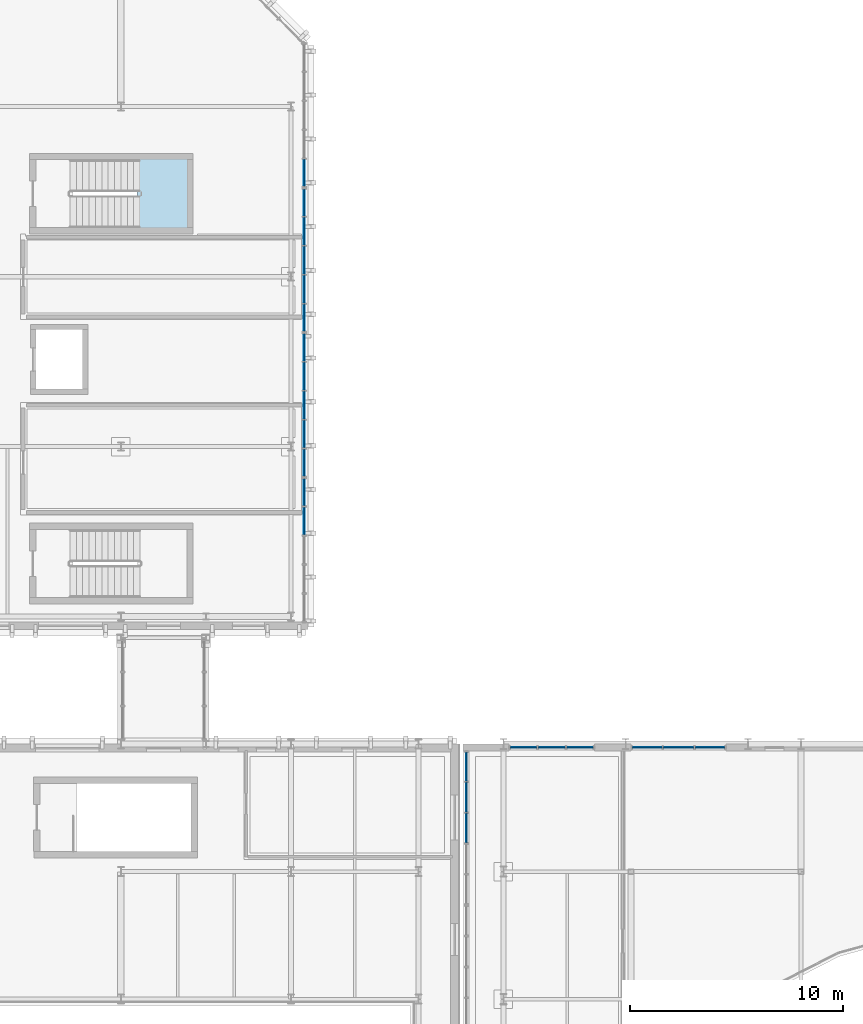
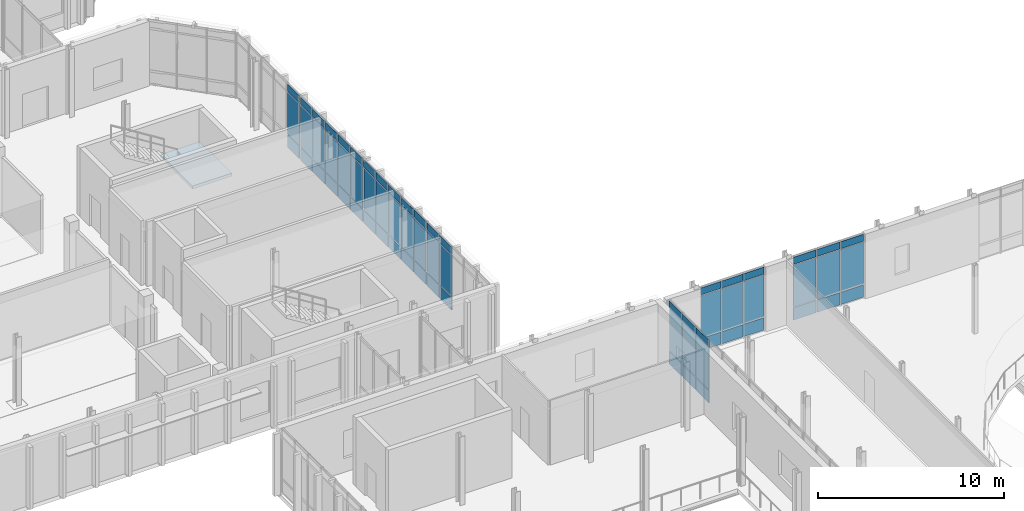
# One storey, part 52 of 100: 66 plates, 1 slab, 8 elements without a shape of their own.
"""IFC4 building model written with IfcOpenShell, lengths in metres."""

from ifc_helpers import new_model, si_unit, direction, frame, origin, origin_2d, place, context, subcontext, project, spatial, polyline, rectangle, outline, extrude, material, layer, layer_set, type_object, element, aggregate, save


model = new_model("IFC4")

# Units and contexts
model_context = context("Model", 3, precision=1e-05, world=origin(), true_north=direction((0.0, 1.0)))
body_context = subcontext(model_context, "Body", "Model", "MODEL_VIEW")
ifc_project = project(units=[si_unit("LENGTHUNIT", "METRE"), si_unit("AREAUNIT", "SQUARE_METRE"), si_unit("VOLUMEUNIT", "CUBIC_METRE"), si_unit("PLANEANGLEUNIT", "RADIAN"), si_unit("MASSUNIT", "GRAM", prefix="KILO")], contexts=[model_context])

# Site, building, storey
site_placement = place(None, origin())
site = spatial("IfcSite", under=ifc_project, at=site_placement, CompositionType="ELEMENT")
building_placement = place(site_placement, origin())
building = spatial("IfcBuilding", under=site, at=building_placement, Name="Cymarion Research Institute", CompositionType="ELEMENT")
storey_placement = place(building_placement, frame((0.0, 0.0, 9.300048828125)))
storey = spatial("IfcBuildingStorey", under=building, at=storey_placement, Name="L02", CompositionType="ELEMENT", Elevation=9.300048828125)

# Curtain wall, plates
ifc_material_1 = material(Name="Anodised aluminium unitised curtain wall with Low-E glazing", Category="aluminium")
curtain_wall_type_1 = type_object("IfcCurtainWallType", Name="UNITISED CURTAIN WALL CW12 4460X4250", PredefinedType="NOTDEFINED", material=ifc_material_1)
curtain_wall_1_placement = place(storey_placement, origin())
curtain_wall_1 = element("IfcCurtainWall", 1, at=curtain_wall_1_placement, inside=storey, type_object=curtain_wall_type_1, Name="L02 V2 unitised curtain wall CW12 #86", PredefinedType="NOTDEFINED")
ifc_material_2 = material(Name="Insulated anodised aluminium spandrel panel", Category="aluminium")
ifc_layer_1 = layer(ifc_material_2, 0.06005859375)
ifc_layer_set_1 = layer_set([ifc_layer_1], Name="Insulated anodised aluminium spandrel panel")
plate_type_1 = type_object("IfcPlateType", Name="INSULATED ALUMINIUM SPANDREL PANEL SP01 60MM", PredefinedType="SHEET", material=ifc_layer_set_1)
plate_1_placement = place(storey_placement, frame((66.3154296875, 41.340087890625, 0.059814453125), z_axis=(0.0, 0.0, 1.0), x_axis=(-1.0, 0.0, 0.0)))
plate_1 = element("IfcPlate", 2, at=plate_1_placement, type_object=plate_type_1, Name="CW12 panel 1.1", PredefinedType="SHEET", context=body_context, shape_type="SweptSolid", body=[
    extrude(rectangle(XDim=1.398193359375, YDim=0.06005859375, at=origin_2d()), origin(), (0.0, 0.0, 1.0), 0.81005859375),
])
plate_2_placement = place(storey_placement, frame((66.3154296875, 41.340087890625, 3.72998046875), z_axis=(0.0, 0.0, 1.0), x_axis=(-1.0, 0.0, 0.0)))
plate_2 = element("IfcPlate", 3, at=plate_2_placement, type_object=plate_type_1, Name="CW12 panel 1.3", PredefinedType="SHEET", context=body_context, shape_type="SweptSolid", body=[
    extrude(rectangle(XDim=1.398193359375, YDim=0.06005859375, at=origin_2d()), origin(), (0.0, 0.0, 1.0), 0.4599609375),
])
plate_3_placement = place(storey_placement, frame((64.84228515625, 41.340087890625, 0.059814453125), z_axis=(0.0, 0.0, 1.0), x_axis=(-1.0, 0.0, 0.0)))
plate_3 = element("IfcPlate", 4, at=plate_3_placement, type_object=plate_type_1, Name="CW12 panel 2.1", PredefinedType="SHEET", context=body_context, shape_type="SweptSolid", body=[
    extrude(rectangle(XDim=1.42822265625, YDim=0.06005859375, at=origin_2d()), origin(), (0.0, 0.0, 1.0), 0.81005859375),
])
plate_4_placement = place(storey_placement, frame((64.84228515625, 41.340087890625, 3.72998046875), z_axis=(0.0, 0.0, 1.0), x_axis=(-1.0, 0.0, 0.0)))
plate_4 = element("IfcPlate", 5, at=plate_4_placement, type_object=plate_type_1, Name="CW12 panel 2.3", PredefinedType="SHEET", context=body_context, shape_type="SweptSolid", body=[
    extrude(rectangle(XDim=1.42822265625, YDim=0.06005859375, at=origin_2d()), origin(), (0.0, 0.0, 1.0), 0.4599609375),
])
plate_5_placement = place(storey_placement, frame((63.369140625, 41.340087890625, 0.059814453125), z_axis=(0.0, 0.0, 1.0), x_axis=(-1.0, 0.0, 0.0)))
plate_5 = element("IfcPlate", 6, at=plate_5_placement, type_object=plate_type_1, Name="CW12 panel 3.1", PredefinedType="SHEET", context=body_context, shape_type="SweptSolid", body=[
    extrude(rectangle(XDim=1.398193359375, YDim=0.06005859375, at=origin_2d()), origin(), (0.0, 0.0, 1.0), 0.81005859375),
])
plate_6_placement = place(storey_placement, frame((63.369140625, 41.340087890625, 3.72998046875), z_axis=(0.0, 0.0, 1.0), x_axis=(-1.0, 0.0, 0.0)))
plate_6 = element("IfcPlate", 7, at=plate_6_placement, type_object=plate_type_1, Name="CW12 panel 3.3", PredefinedType="SHEET", context=body_context, shape_type="SweptSolid", body=[
    extrude(rectangle(XDim=1.398193359375, YDim=0.06005859375, at=origin_2d()), origin(), (0.0, 0.0, 1.0), 0.4599609375),
])

curtain_wall_type_2 = type_object("IfcCurtainWallType", Name="UNITISED CURTAIN WALL CW13 4030X4250", PredefinedType="NOTDEFINED", material=ifc_material_1)
curtain_wall_2_placement = place(storey_placement, origin())
curtain_wall_2 = element("IfcCurtainWall", 8, at=curtain_wall_2_placement, inside=storey, type_object=curtain_wall_type_2, Name="L02 V2 unitised curtain wall CW13 #87", PredefinedType="NOTDEFINED")
plate_7_placement = place(storey_placement, frame((60.201171875, 41.340087890625, 0.059814453125), z_axis=(0.0, 0.0, 1.0), x_axis=(-1.0, 0.0, 0.0)))
plate_7 = element("IfcPlate", 9, at=plate_7_placement, type_object=plate_type_1, Name="CW13 panel 1.1", PredefinedType="SHEET", context=body_context, shape_type="SweptSolid", body=[
    extrude(rectangle(XDim=1.25244140625, YDim=0.06005859375, at=origin_2d()), origin(), (0.0, 0.0, 1.0), 0.81005859375),
])
plate_8_placement = place(storey_placement, frame((60.201171875, 41.340087890625, 3.72998046875), z_axis=(0.0, 0.0, 1.0), x_axis=(-1.0, 0.0, 0.0)))
plate_8 = element("IfcPlate", 10, at=plate_8_placement, type_object=plate_type_1, Name="CW13 panel 1.3", PredefinedType="SHEET", context=body_context, shape_type="SweptSolid", body=[
    extrude(rectangle(XDim=1.25244140625, YDim=0.06005859375, at=origin_2d()), origin(), (0.0, 0.0, 1.0), 0.4599609375),
])
plate_9_placement = place(storey_placement, frame((58.87353515625, 41.340087890625, 0.059814453125), z_axis=(0.0, 0.0, 1.0), x_axis=(-1.0, 0.0, 0.0)))
plate_9 = element("IfcPlate", 11, at=plate_9_placement, type_object=plate_type_1, Name="CW13 panel 2.1", PredefinedType="SHEET", context=body_context, shape_type="SweptSolid", body=[
    extrude(rectangle(XDim=1.282470703125, YDim=0.06005859375, at=origin_2d()), origin(), (0.0, 0.0, 1.0), 0.81005859375),
])
plate_10_placement = place(storey_placement, frame((58.87353515625, 41.340087890625, 3.72998046875), z_axis=(0.0, 0.0, 1.0), x_axis=(-1.0, 0.0, 0.0)))
plate_10 = element("IfcPlate", 12, at=plate_10_placement, type_object=plate_type_1, Name="CW13 panel 2.3", PredefinedType="SHEET", context=body_context, shape_type="SweptSolid", body=[
    extrude(rectangle(XDim=1.282470703125, YDim=0.06005859375, at=origin_2d()), origin(), (0.0, 0.0, 1.0), 0.4599609375),
])
plate_11_placement = place(storey_placement, frame((57.546142578125, 41.340087890625, 0.059814453125), z_axis=(0.0, 0.0, 1.0), x_axis=(-1.0, 0.0, 0.0)))
plate_11 = element("IfcPlate", 13, at=plate_11_placement, type_object=plate_type_1, Name="CW13 panel 3.1", PredefinedType="SHEET", context=body_context, shape_type="SweptSolid", body=[
    extrude(rectangle(XDim=1.25244140625, YDim=0.06005859375, at=origin_2d()), origin(), (0.0, 0.0, 1.0), 0.81005859375),
])
plate_12_placement = place(storey_placement, frame((57.546142578125, 41.340087890625, 3.72998046875), z_axis=(0.0, 0.0, 1.0), x_axis=(-1.0, 0.0, 0.0)))
plate_12 = element("IfcPlate", 14, at=plate_12_placement, type_object=plate_type_1, Name="CW13 panel 3.3", PredefinedType="SHEET", context=body_context, shape_type="SweptSolid", body=[
    extrude(rectangle(XDim=1.25244140625, YDim=0.06005859375, at=origin_2d()), origin(), (0.0, 0.0, 1.0), 0.4599609375),
])

curtain_wall_type_3 = type_object("IfcCurtainWallType", Name="UNITISED CURTAIN WALL CW14 7260X4250", PredefinedType="NOTDEFINED", material=ifc_material_1)
curtain_wall_3_placement = place(storey_placement, origin())
curtain_wall_3 = element("IfcCurtainWall", 15, at=curtain_wall_3_placement, inside=storey, type_object=curtain_wall_type_3, Name="L02 V2 unitised curtain wall CW14 #88", PredefinedType="NOTDEFINED")
plate_13_placement = place(storey_placement, frame((54.860107421875, 40.439453125, 0.059814453125), z_axis=(0.0, 0.0, 1.0), x_axis=(0.0, -1.0, 0.0)))
plate_13 = element("IfcPlate", 16, at=plate_13_placement, type_object=plate_type_1, Name="CW14 panel 1.1", PredefinedType="SHEET", context=body_context, shape_type="SweptSolid", body=[
    extrude(rectangle(XDim=1.361083984375, YDim=0.06005859375, at=origin_2d()), origin(), (0.0, 0.0, 1.0), 0.81005859375),
])
plate_14_placement = place(storey_placement, frame((54.860107421875, 40.439453125, 3.72998046875), z_axis=(0.0, 0.0, 1.0), x_axis=(0.0, -1.0, 0.0)))
plate_14 = element("IfcPlate", 17, at=plate_14_placement, type_object=plate_type_1, Name="CW14 panel 1.3", PredefinedType="SHEET", context=body_context, shape_type="SweptSolid", body=[
    extrude(rectangle(XDim=1.361083984375, YDim=0.06005859375, at=origin_2d()), origin(), (0.0, 0.0, 1.0), 0.4599609375),
])
plate_15_placement = place(storey_placement, frame((54.860107421875, 39.003173828125, 0.059814453125), z_axis=(0.0, 0.0, 1.0), x_axis=(0.0, -1.0, 0.0)))
plate_15 = element("IfcPlate", 18, at=plate_15_placement, type_object=plate_type_1, Name="CW14 panel 2.1", PredefinedType="SHEET", context=body_context, shape_type="SweptSolid", body=[
    extrude(rectangle(XDim=1.39111328125, YDim=0.06005859375, at=origin_2d()), origin(), (0.0, 0.0, 1.0), 0.81005859375),
])
plate_16_placement = place(storey_placement, frame((54.860107421875, 39.003173828125, 3.72998046875), z_axis=(0.0, 0.0, 1.0), x_axis=(0.0, -1.0, 0.0)))
plate_16 = element("IfcPlate", 19, at=plate_16_placement, type_object=plate_type_1, Name="CW14 panel 2.3", PredefinedType="SHEET", context=body_context, shape_type="SweptSolid", body=[
    extrude(rectangle(XDim=1.39111328125, YDim=0.06005859375, at=origin_2d()), origin(), (0.0, 0.0, 1.0), 0.4599609375),
])
plate_17_placement = place(storey_placement, frame((54.860107421875, 37.552001953125, 0.059814453125), z_axis=(0.0, 0.0, 1.0), x_axis=(0.0, -1.0, 0.0)))
plate_17 = element("IfcPlate", 20, at=plate_17_placement, type_object=plate_type_1, Name="CW14 panel 3.1", PredefinedType="SHEET", context=body_context, shape_type="SweptSolid", body=[
    extrude(rectangle(XDim=1.39111328125, YDim=0.06005859375, at=origin_2d()), origin(), (0.0, 0.0, 1.0), 0.81005859375),
])
plate_18_placement = place(storey_placement, frame((54.860107421875, 37.552001953125, 3.72998046875), z_axis=(0.0, 0.0, 1.0), x_axis=(0.0, -1.0, 0.0)))
plate_18 = element("IfcPlate", 21, at=plate_18_placement, type_object=plate_type_1, Name="CW14 panel 3.3", PredefinedType="SHEET", context=body_context, shape_type="SweptSolid", body=[
    extrude(rectangle(XDim=1.39111328125, YDim=0.06005859375, at=origin_2d()), origin(), (0.0, 0.0, 1.0), 0.4599609375),
])

curtain_wall_type_4 = type_object("IfcCurtainWallType", Name="UNITISED CURTAIN WALL CW20 6820X4250", PredefinedType="NOTDEFINED", material=ifc_material_1)
curtain_wall_4_placement = place(storey_placement, origin())
curtain_wall_4 = element("IfcCurtainWall", 22, at=curtain_wall_4_placement, inside=storey, type_object=curtain_wall_type_4, Name="L02 V4 unitised curtain wall CW20 #98", PredefinedType="NOTDEFINED")
plate_19_placement = place(storey_placement, frame((47.22998046875, 51.99560546875, 0.059814453125), z_axis=(0.0, 0.0, 1.0), x_axis=(0.0, 1.0, 0.0)))
plate_19 = element("IfcPlate", 23, at=plate_19_placement, type_object=plate_type_1, Name="CW20 panel 4.1", PredefinedType="SHEET", context=body_context, shape_type="SweptSolid", body=[
    extrude(rectangle(XDim=1.303955078125, YDim=0.06005859375, at=origin_2d()), origin(), (0.0, 0.0, 1.0), 0.81005859375),
])
plate_20_placement = place(storey_placement, frame((47.22998046875, 51.99560546875, 3.72998046875), z_axis=(0.0, 0.0, 1.0), x_axis=(0.0, 1.0, 0.0)))
plate_20 = element("IfcPlate", 24, at=plate_20_placement, type_object=plate_type_1, Name="CW20 panel 4.3", PredefinedType="SHEET", context=body_context, shape_type="SweptSolid", body=[
    extrude(rectangle(XDim=1.303955078125, YDim=0.06005859375, at=origin_2d()), origin(), (0.0, 0.0, 1.0), 0.4599609375),
])
plate_21_placement = place(storey_placement, frame((47.22998046875, 53.344482421875, 0.059814453125), z_axis=(0.0, 0.0, 1.0), x_axis=(0.0, 1.0, 0.0)))
plate_21 = element("IfcPlate", 25, at=plate_21_placement, type_object=plate_type_1, Name="CW20 panel 5.1", PredefinedType="SHEET", context=body_context, shape_type="SweptSolid", body=[
    extrude(rectangle(XDim=1.27392578125, YDim=0.06005859375, at=origin_2d()), origin(), (0.0, 0.0, 1.0), 0.81005859375),
])
plate_22_placement = place(storey_placement, frame((47.22998046875, 53.344482421875, 3.72998046875), z_axis=(0.0, 0.0, 1.0), x_axis=(0.0, 1.0, 0.0)))
plate_22 = element("IfcPlate", 26, at=plate_22_placement, type_object=plate_type_1, Name="CW20 panel 5.3", PredefinedType="SHEET", context=body_context, shape_type="SweptSolid", body=[
    extrude(rectangle(XDim=1.27392578125, YDim=0.06005859375, at=origin_2d()), origin(), (0.0, 0.0, 1.0), 0.4599609375),
])

curtain_wall_5_placement = place(storey_placement, origin())
curtain_wall_5 = element("IfcCurtainWall", 27, at=curtain_wall_5_placement, inside=storey, type_object=curtain_wall_type_4, Name="L02 V4 unitised curtain wall CW20 #99", PredefinedType="NOTDEFINED")
plate_23_placement = place(storey_placement, frame((47.22998046875, 54.738525390625, 0.059814453125), z_axis=(0.0, 0.0, 1.0), x_axis=(0.0, 1.0, 0.0)))
plate_23 = element("IfcPlate", 28, at=plate_23_placement, type_object=plate_type_1, Name="CW20 panel 1.1", PredefinedType="SHEET", context=body_context, shape_type="SweptSolid", body=[
    extrude(rectangle(XDim=1.27392578125, YDim=0.06005859375, at=origin_2d()), origin(), (0.0, 0.0, 1.0), 0.81005859375),
])
plate_24_placement = place(storey_placement, frame((47.22998046875, 54.738525390625, 3.72998046875), z_axis=(0.0, 0.0, 1.0), x_axis=(0.0, 1.0, 0.0)))
plate_24 = element("IfcPlate", 29, at=plate_24_placement, type_object=plate_type_1, Name="CW20 panel 1.3", PredefinedType="SHEET", context=body_context, shape_type="SweptSolid", body=[
    extrude(rectangle(XDim=1.27392578125, YDim=0.06005859375, at=origin_2d()), origin(), (0.0, 0.0, 1.0), 0.4599609375),
])
plate_25_placement = place(storey_placement, frame((47.22998046875, 56.08740234375, 0.059814453125), z_axis=(0.0, 0.0, 1.0), x_axis=(0.0, 1.0, 0.0)))
plate_25 = element("IfcPlate", 30, at=plate_25_placement, type_object=plate_type_1, Name="CW20 panel 2.1", PredefinedType="SHEET", context=body_context, shape_type="SweptSolid", body=[
    extrude(rectangle(XDim=1.303955078125, YDim=0.06005859375, at=origin_2d()), origin(), (0.0, 0.0, 1.0), 0.81005859375),
])
plate_26_placement = place(storey_placement, frame((47.22998046875, 56.08740234375, 3.72998046875), z_axis=(0.0, 0.0, 1.0), x_axis=(0.0, 1.0, 0.0)))
plate_26 = element("IfcPlate", 31, at=plate_26_placement, type_object=plate_type_1, Name="CW20 panel 2.3", PredefinedType="SHEET", context=body_context, shape_type="SweptSolid", body=[
    extrude(rectangle(XDim=1.303955078125, YDim=0.06005859375, at=origin_2d()), origin(), (0.0, 0.0, 1.0), 0.4599609375),
])
plate_27_placement = place(storey_placement, frame((47.22998046875, 57.451171875, 0.059814453125), z_axis=(0.0, 0.0, 1.0), x_axis=(0.0, 1.0, 0.0)))
plate_27 = element("IfcPlate", 32, at=plate_27_placement, type_object=plate_type_1, Name="CW20 panel 3.1", PredefinedType="SHEET", context=body_context, shape_type="SweptSolid", body=[
    extrude(rectangle(XDim=1.303955078125, YDim=0.06005859375, at=origin_2d()), origin(), (0.0, 0.0, 1.0), 0.81005859375),
])
plate_28_placement = place(storey_placement, frame((47.22998046875, 57.451171875, 3.72998046875), z_axis=(0.0, 0.0, 1.0), x_axis=(0.0, 1.0, 0.0)))
plate_28 = element("IfcPlate", 33, at=plate_28_placement, type_object=plate_type_1, Name="CW20 panel 3.3", PredefinedType="SHEET", context=body_context, shape_type="SweptSolid", body=[
    extrude(rectangle(XDim=1.303955078125, YDim=0.06005859375, at=origin_2d()), origin(), (0.0, 0.0, 1.0), 0.4599609375),
])
plate_29_placement = place(storey_placement, frame((47.22998046875, 58.815185546875, 0.059814453125), z_axis=(0.0, 0.0, 1.0), x_axis=(0.0, 1.0, 0.0)))
plate_29 = element("IfcPlate", 34, at=plate_29_placement, type_object=plate_type_1, Name="CW20 panel 4.1", PredefinedType="SHEET", context=body_context, shape_type="SweptSolid", body=[
    extrude(rectangle(XDim=1.303955078125, YDim=0.06005859375, at=origin_2d()), origin(), (0.0, 0.0, 1.0), 0.81005859375),
])
plate_30_placement = place(storey_placement, frame((47.22998046875, 58.815185546875, 3.72998046875), z_axis=(0.0, 0.0, 1.0), x_axis=(0.0, 1.0, 0.0)))
plate_30 = element("IfcPlate", 35, at=plate_30_placement, type_object=plate_type_1, Name="CW20 panel 4.3", PredefinedType="SHEET", context=body_context, shape_type="SweptSolid", body=[
    extrude(rectangle(XDim=1.303955078125, YDim=0.06005859375, at=origin_2d()), origin(), (0.0, 0.0, 1.0), 0.4599609375),
])
plate_31_placement = place(storey_placement, frame((47.22998046875, 60.1640625, 0.059814453125), z_axis=(0.0, 0.0, 1.0), x_axis=(0.0, 1.0, 0.0)))
plate_31 = element("IfcPlate", 36, at=plate_31_placement, type_object=plate_type_1, Name="CW20 panel 5.1", PredefinedType="SHEET", context=body_context, shape_type="SweptSolid", body=[
    extrude(rectangle(XDim=1.27392578125, YDim=0.06005859375, at=origin_2d()), origin(), (0.0, 0.0, 1.0), 0.81005859375),
])
plate_32_placement = place(storey_placement, frame((47.22998046875, 60.1640625, 3.72998046875), z_axis=(0.0, 0.0, 1.0), x_axis=(0.0, 1.0, 0.0)))
plate_32 = element("IfcPlate", 37, at=plate_32_placement, type_object=plate_type_1, Name="CW20 panel 5.3", PredefinedType="SHEET", context=body_context, shape_type="SweptSolid", body=[
    extrude(rectangle(XDim=1.27392578125, YDim=0.06005859375, at=origin_2d()), origin(), (0.0, 0.0, 1.0), 0.4599609375),
])

curtain_wall_6_placement = place(storey_placement, origin())
curtain_wall_6 = element("IfcCurtainWall", 38, at=curtain_wall_6_placement, inside=storey, type_object=curtain_wall_type_4, Name="L02 V4 unitised curtain wall CW20 #100", PredefinedType="NOTDEFINED")
plate_33_placement = place(storey_placement, frame((47.22998046875, 61.557861328125, 0.059814453125), z_axis=(0.0, 0.0, 1.0), x_axis=(0.0, 1.0, 0.0)))
plate_33 = element("IfcPlate", 39, at=plate_33_placement, type_object=plate_type_1, Name="CW20 panel 1.1", PredefinedType="SHEET", context=body_context, shape_type="SweptSolid", body=[
    extrude(rectangle(XDim=1.27392578125, YDim=0.06005859375, at=origin_2d()), origin(), (0.0, 0.0, 1.0), 0.81005859375),
])
plate_34_placement = place(storey_placement, frame((47.22998046875, 61.557861328125, 3.72998046875), z_axis=(0.0, 0.0, 1.0), x_axis=(0.0, 1.0, 0.0)))
plate_34 = element("IfcPlate", 40, at=plate_34_placement, type_object=plate_type_1, Name="CW20 panel 1.3", PredefinedType="SHEET", context=body_context, shape_type="SweptSolid", body=[
    extrude(rectangle(XDim=1.27392578125, YDim=0.06005859375, at=origin_2d()), origin(), (0.0, 0.0, 1.0), 0.4599609375),
])
plate_35_placement = place(storey_placement, frame((47.22998046875, 62.90673828125, 0.059814453125), z_axis=(0.0, 0.0, 1.0), x_axis=(0.0, 1.0, 0.0)))
plate_35 = element("IfcPlate", 41, at=plate_35_placement, type_object=plate_type_1, Name="CW20 panel 2.1", PredefinedType="SHEET", context=body_context, shape_type="SweptSolid", body=[
    extrude(rectangle(XDim=1.303955078125, YDim=0.06005859375, at=origin_2d()), origin(), (0.0, 0.0, 1.0), 0.81005859375),
])
plate_36_placement = place(storey_placement, frame((47.22998046875, 62.90673828125, 3.72998046875), z_axis=(0.0, 0.0, 1.0), x_axis=(0.0, 1.0, 0.0)))
plate_36 = element("IfcPlate", 42, at=plate_36_placement, type_object=plate_type_1, Name="CW20 panel 2.3", PredefinedType="SHEET", context=body_context, shape_type="SweptSolid", body=[
    extrude(rectangle(XDim=1.303955078125, YDim=0.06005859375, at=origin_2d()), origin(), (0.0, 0.0, 1.0), 0.4599609375),
])
plate_37_placement = place(storey_placement, frame((47.22998046875, 64.270751953125, 0.059814453125), z_axis=(0.0, 0.0, 1.0), x_axis=(0.0, 1.0, 0.0)))
plate_37 = element("IfcPlate", 43, at=plate_37_placement, type_object=plate_type_1, Name="CW20 panel 3.1", PredefinedType="SHEET", context=body_context, shape_type="SweptSolid", body=[
    extrude(rectangle(XDim=1.303955078125, YDim=0.06005859375, at=origin_2d()), origin(), (0.0, 0.0, 1.0), 0.81005859375),
])
plate_38_placement = place(storey_placement, frame((47.22998046875, 64.270751953125, 3.72998046875), z_axis=(0.0, 0.0, 1.0), x_axis=(0.0, 1.0, 0.0)))
plate_38 = element("IfcPlate", 44, at=plate_38_placement, type_object=plate_type_1, Name="CW20 panel 3.3", PredefinedType="SHEET", context=body_context, shape_type="SweptSolid", body=[
    extrude(rectangle(XDim=1.303955078125, YDim=0.06005859375, at=origin_2d()), origin(), (0.0, 0.0, 1.0), 0.4599609375),
])
plate_39_placement = place(storey_placement, frame((47.22998046875, 65.634765625, 0.059814453125), z_axis=(0.0, 0.0, 1.0), x_axis=(0.0, 1.0, 0.0)))
plate_39 = element("IfcPlate", 45, at=plate_39_placement, type_object=plate_type_1, Name="CW20 panel 4.1", PredefinedType="SHEET", context=body_context, shape_type="SweptSolid", body=[
    extrude(rectangle(XDim=1.303955078125, YDim=0.06005859375, at=origin_2d()), origin(), (0.0, 0.0, 1.0), 0.81005859375),
])
plate_40_placement = place(storey_placement, frame((47.22998046875, 65.634765625, 3.72998046875), z_axis=(0.0, 0.0, 1.0), x_axis=(0.0, 1.0, 0.0)))
plate_40 = element("IfcPlate", 46, at=plate_40_placement, type_object=plate_type_1, Name="CW20 panel 4.3", PredefinedType="SHEET", context=body_context, shape_type="SweptSolid", body=[
    extrude(rectangle(XDim=1.303955078125, YDim=0.06005859375, at=origin_2d()), origin(), (0.0, 0.0, 1.0), 0.4599609375),
])
plate_41_placement = place(storey_placement, frame((47.22998046875, 66.983642578125, 0.059814453125), z_axis=(0.0, 0.0, 1.0), x_axis=(0.0, 1.0, 0.0)))
plate_41 = element("IfcPlate", 47, at=plate_41_placement, type_object=plate_type_1, Name="CW20 panel 5.1", PredefinedType="SHEET", context=body_context, shape_type="SweptSolid", body=[
    extrude(rectangle(XDim=1.27392578125, YDim=0.06005859375, at=origin_2d()), origin(), (0.0, 0.0, 1.0), 0.81005859375),
])
plate_42_placement = place(storey_placement, frame((47.22998046875, 66.983642578125, 3.72998046875), z_axis=(0.0, 0.0, 1.0), x_axis=(0.0, 1.0, 0.0)))
plate_42 = element("IfcPlate", 48, at=plate_42_placement, type_object=plate_type_1, Name="CW20 panel 5.3", PredefinedType="SHEET", context=body_context, shape_type="SweptSolid", body=[
    extrude(rectangle(XDim=1.27392578125, YDim=0.06005859375, at=origin_2d()), origin(), (0.0, 0.0, 1.0), 0.4599609375),
])

curtain_wall_7_placement = place(storey_placement, origin())
curtain_wall_7 = element("IfcCurtainWall", 49, at=curtain_wall_7_placement, inside=storey, type_object=curtain_wall_type_4, Name="L02 V4 unitised curtain wall CW20 #101", PredefinedType="NOTDEFINED")
plate_43_placement = place(storey_placement, frame((47.22998046875, 68.37744140625, 0.059814453125), z_axis=(0.0, 0.0, 1.0), x_axis=(0.0, 1.0, 0.0)))
plate_43 = element("IfcPlate", 50, at=plate_43_placement, type_object=plate_type_1, Name="CW20 panel 1.1", PredefinedType="SHEET", context=body_context, shape_type="SweptSolid", body=[
    extrude(rectangle(XDim=1.27392578125, YDim=0.06005859375, at=origin_2d()), origin(), (0.0, 0.0, 1.0), 0.81005859375),
])
plate_44_placement = place(storey_placement, frame((47.22998046875, 68.37744140625, 3.72998046875), z_axis=(0.0, 0.0, 1.0), x_axis=(0.0, 1.0, 0.0)))
plate_44 = element("IfcPlate", 51, at=plate_44_placement, type_object=plate_type_1, Name="CW20 panel 1.3", PredefinedType="SHEET", context=body_context, shape_type="SweptSolid", body=[
    extrude(rectangle(XDim=1.27392578125, YDim=0.06005859375, at=origin_2d()), origin(), (0.0, 0.0, 1.0), 0.4599609375),
])

# Stair, slab
ifc_material_3 = material(Name="Concrete C35/45", Category="concrete")
stair_type = type_object("IfcStairType", Name="REINFORCED CONCRETE DOGLEG STAIR STR-4500", PredefinedType="HALF_TURN_STAIR", material=ifc_material_3)
stair_placement = place(storey_placement, origin())
stair = element("IfcStair", 52, at=stair_placement, inside=storey, type_object=stair_type, Name="L02 Core C8 Smoke-Proof Exit Stair ST8", PredefinedType="HALF_TURN_STAIR")
ifc_layer_2 = layer(ifc_material_3, 0.199951171875)
ifc_layer_set_2 = layer_set([ifc_layer_2], Name="Concrete C35/45")
slab_type = type_object("IfcSlabType", Name="REINFORCED CONCRETE STAIR LANDING LDG200", PredefinedType="LANDING", material=ifc_layer_set_2)
slab_placement = place(storey_placement, frame((0.0, 0.0, 2.050048828125)))
slab = element("IfcSlab", 53, at=slab_placement, type_object=slab_type, Name="ST8 landing 1", PredefinedType="LANDING", context=body_context, shape_type="SweptSolid", body=[
    extrude(outline(polyline([(39.3798828125, 65.679931640625), (39.3798828125, 69.1201171875), (41.820068359375, 69.1201171875), (41.820068359375, 65.679931640625), (39.3798828125, 65.679931640625)])), origin(), (0.0, 0.0, 1.0), 0.199951171875),
])
aggregate(stair, [slab])

# Plate
ifc_material_4 = material(Name="Low-E double solar-control glazing", Category="glass")
ifc_layer_3 = layer(ifc_material_4, 0.035888671875)
ifc_layer_set_3 = layer_set([ifc_layer_3], Name="Low-E double solar-control glazing")
plate_type_2 = type_object("IfcPlateType", Name="SOLAR CONTROL GLAZED VISION PANEL GP01 36MM", PredefinedType="CURTAIN_PANEL", material=ifc_layer_set_3)
plate_45_placement = place(storey_placement, frame((66.3154296875, 41.340087890625, 0.93017578125), z_axis=(0.0, 0.0, 1.0), x_axis=(-1.0, 0.0, 0.0)))
plate_45 = element("IfcPlate", 54, at=plate_45_placement, type_object=plate_type_2, Name="CW12 panel 1.2", PredefinedType="CURTAIN_PANEL", context=body_context, shape_type="SweptSolid", body=[
    extrude(rectangle(XDim=1.398193359375, YDim=0.035888671875, at=origin_2d()), origin(), (0.0, 0.0, 1.0), 2.739990234375),
])

plate_46_placement = place(storey_placement, frame((64.84228515625, 41.340087890625, 0.93017578125), z_axis=(0.0, 0.0, 1.0), x_axis=(-1.0, 0.0, 0.0)))
plate_46 = element("IfcPlate", 55, at=plate_46_placement, type_object=plate_type_2, Name="CW12 panel 2.2", PredefinedType="CURTAIN_PANEL", context=body_context, shape_type="SweptSolid", body=[
    extrude(rectangle(XDim=1.42822265625, YDim=0.035888671875, at=origin_2d()), origin(), (0.0, 0.0, 1.0), 2.739990234375),
])

plate_47_placement = place(storey_placement, frame((63.369140625, 41.340087890625, 0.93017578125), z_axis=(0.0, 0.0, 1.0), x_axis=(-1.0, 0.0, 0.0)))
plate_47 = element("IfcPlate", 56, at=plate_47_placement, type_object=plate_type_2, Name="CW12 panel 3.2", PredefinedType="CURTAIN_PANEL", context=body_context, shape_type="SweptSolid", body=[
    extrude(rectangle(XDim=1.398193359375, YDim=0.035888671875, at=origin_2d()), origin(), (0.0, 0.0, 1.0), 2.739990234375),
])

aggregate(curtain_wall_1, [plate_1, plate_45, plate_2, plate_3, plate_46, plate_4, plate_5, plate_47, plate_6])

plate_48_placement = place(storey_placement, frame((60.201171875, 41.340087890625, 0.93017578125), z_axis=(0.0, 0.0, 1.0), x_axis=(-1.0, 0.0, 0.0)))
plate_48 = element("IfcPlate", 57, at=plate_48_placement, type_object=plate_type_2, Name="CW13 panel 1.2", PredefinedType="CURTAIN_PANEL", context=body_context, shape_type="SweptSolid", body=[
    extrude(rectangle(XDim=1.25244140625, YDim=0.035888671875, at=origin_2d()), origin(), (0.0, 0.0, 1.0), 2.739990234375),
])

plate_49_placement = place(storey_placement, frame((58.87353515625, 41.340087890625, 0.93017578125), z_axis=(0.0, 0.0, 1.0), x_axis=(-1.0, 0.0, 0.0)))
plate_49 = element("IfcPlate", 58, at=plate_49_placement, type_object=plate_type_2, Name="CW13 panel 2.2", PredefinedType="CURTAIN_PANEL", context=body_context, shape_type="SweptSolid", body=[
    extrude(rectangle(XDim=1.282470703125, YDim=0.035888671875, at=origin_2d()), origin(), (0.0, 0.0, 1.0), 2.739990234375),
])

plate_50_placement = place(storey_placement, frame((57.546142578125, 41.340087890625, 0.93017578125), z_axis=(0.0, 0.0, 1.0), x_axis=(-1.0, 0.0, 0.0)))
plate_50 = element("IfcPlate", 59, at=plate_50_placement, type_object=plate_type_2, Name="CW13 panel 3.2", PredefinedType="CURTAIN_PANEL", context=body_context, shape_type="SweptSolid", body=[
    extrude(rectangle(XDim=1.25244140625, YDim=0.035888671875, at=origin_2d()), origin(), (0.0, 0.0, 1.0), 2.739990234375),
])

aggregate(curtain_wall_2, [plate_7, plate_48, plate_8, plate_9, plate_49, plate_10, plate_11, plate_50, plate_12])

plate_51_placement = place(storey_placement, frame((54.860107421875, 40.439453125, 0.93017578125), z_axis=(0.0, 0.0, 1.0), x_axis=(0.0, -1.0, 0.0)))
plate_51 = element("IfcPlate", 60, at=plate_51_placement, type_object=plate_type_2, Name="CW14 panel 1.2", PredefinedType="CURTAIN_PANEL", context=body_context, shape_type="SweptSolid", body=[
    extrude(rectangle(XDim=1.361083984375, YDim=0.035888671875, at=origin_2d()), origin(), (0.0, 0.0, 1.0), 2.739990234375),
])

plate_52_placement = place(storey_placement, frame((54.860107421875, 39.003173828125, 0.93017578125), z_axis=(0.0, 0.0, 1.0), x_axis=(0.0, -1.0, 0.0)))
plate_52 = element("IfcPlate", 61, at=plate_52_placement, type_object=plate_type_2, Name="CW14 panel 2.2", PredefinedType="CURTAIN_PANEL", context=body_context, shape_type="SweptSolid", body=[
    extrude(rectangle(XDim=1.39111328125, YDim=0.035888671875, at=origin_2d()), origin(), (0.0, 0.0, 1.0), 2.739990234375),
])

plate_53_placement = place(storey_placement, frame((54.860107421875, 37.552001953125, 0.93017578125), z_axis=(0.0, 0.0, 1.0), x_axis=(0.0, -1.0, 0.0)))
plate_53 = element("IfcPlate", 62, at=plate_53_placement, type_object=plate_type_2, Name="CW14 panel 3.2", PredefinedType="CURTAIN_PANEL", context=body_context, shape_type="SweptSolid", body=[
    extrude(rectangle(XDim=1.39111328125, YDim=0.035888671875, at=origin_2d()), origin(), (0.0, 0.0, 1.0), 2.739990234375),
])

aggregate(curtain_wall_3, [plate_13, plate_51, plate_14, plate_15, plate_52, plate_16, plate_17, plate_53, plate_18])

plate_54_placement = place(storey_placement, frame((47.22998046875, 51.99560546875, 0.93017578125), z_axis=(0.0, 0.0, 1.0), x_axis=(0.0, 1.0, 0.0)))
plate_54 = element("IfcPlate", 63, at=plate_54_placement, type_object=plate_type_2, Name="CW20 panel 4.2", PredefinedType="CURTAIN_PANEL", context=body_context, shape_type="SweptSolid", body=[
    extrude(rectangle(XDim=1.303955078125, YDim=0.035888671875, at=origin_2d()), origin(), (0.0, 0.0, 1.0), 2.739990234375),
])

plate_55_placement = place(storey_placement, frame((47.22998046875, 53.344482421875, 0.93017578125), z_axis=(0.0, 0.0, 1.0), x_axis=(0.0, 1.0, 0.0)))
plate_55 = element("IfcPlate", 64, at=plate_55_placement, type_object=plate_type_2, Name="CW20 panel 5.2", PredefinedType="CURTAIN_PANEL", context=body_context, shape_type="SweptSolid", body=[
    extrude(rectangle(XDim=1.27392578125, YDim=0.035888671875, at=origin_2d()), origin(), (0.0, 0.0, 1.0), 2.739990234375),
])

aggregate(curtain_wall_4, [plate_19, plate_54, plate_20, plate_21, plate_55, plate_22])

plate_56_placement = place(storey_placement, frame((47.22998046875, 54.738525390625, 0.93017578125), z_axis=(0.0, 0.0, 1.0), x_axis=(0.0, 1.0, 0.0)))
plate_56 = element("IfcPlate", 65, at=plate_56_placement, type_object=plate_type_2, Name="CW20 panel 1.2", PredefinedType="CURTAIN_PANEL", context=body_context, shape_type="SweptSolid", body=[
    extrude(rectangle(XDim=1.27392578125, YDim=0.035888671875, at=origin_2d()), origin(), (0.0, 0.0, 1.0), 2.739990234375),
])

plate_57_placement = place(storey_placement, frame((47.22998046875, 56.08740234375, 0.93017578125), z_axis=(0.0, 0.0, 1.0), x_axis=(0.0, 1.0, 0.0)))
plate_57 = element("IfcPlate", 66, at=plate_57_placement, type_object=plate_type_2, Name="CW20 panel 2.2", PredefinedType="CURTAIN_PANEL", context=body_context, shape_type="SweptSolid", body=[
    extrude(rectangle(XDim=1.303955078125, YDim=0.035888671875, at=origin_2d()), origin(), (0.0, 0.0, 1.0), 2.739990234375),
])

plate_58_placement = place(storey_placement, frame((47.22998046875, 57.451171875, 0.93017578125), z_axis=(0.0, 0.0, 1.0), x_axis=(0.0, 1.0, 0.0)))
plate_58 = element("IfcPlate", 67, at=plate_58_placement, type_object=plate_type_2, Name="CW20 panel 3.2", PredefinedType="CURTAIN_PANEL", context=body_context, shape_type="SweptSolid", body=[
    extrude(rectangle(XDim=1.303955078125, YDim=0.035888671875, at=origin_2d()), origin(), (0.0, 0.0, 1.0), 2.739990234375),
])

plate_59_placement = place(storey_placement, frame((47.22998046875, 58.815185546875, 0.93017578125), z_axis=(0.0, 0.0, 1.0), x_axis=(0.0, 1.0, 0.0)))
plate_59 = element("IfcPlate", 68, at=plate_59_placement, type_object=plate_type_2, Name="CW20 panel 4.2", PredefinedType="CURTAIN_PANEL", context=body_context, shape_type="SweptSolid", body=[
    extrude(rectangle(XDim=1.303955078125, YDim=0.035888671875, at=origin_2d()), origin(), (0.0, 0.0, 1.0), 2.739990234375),
])

plate_60_placement = place(storey_placement, frame((47.22998046875, 60.1640625, 0.93017578125), z_axis=(0.0, 0.0, 1.0), x_axis=(0.0, 1.0, 0.0)))
plate_60 = element("IfcPlate", 69, at=plate_60_placement, type_object=plate_type_2, Name="CW20 panel 5.2", PredefinedType="CURTAIN_PANEL", context=body_context, shape_type="SweptSolid", body=[
    extrude(rectangle(XDim=1.27392578125, YDim=0.035888671875, at=origin_2d()), origin(), (0.0, 0.0, 1.0), 2.739990234375),
])

aggregate(curtain_wall_5, [plate_23, plate_56, plate_24, plate_25, plate_57, plate_26, plate_27, plate_58, plate_28, plate_29, plate_59, plate_30, plate_31, plate_60, plate_32])

plate_61_placement = place(storey_placement, frame((47.22998046875, 61.557861328125, 0.93017578125), z_axis=(0.0, 0.0, 1.0), x_axis=(0.0, 1.0, 0.0)))
plate_61 = element("IfcPlate", 70, at=plate_61_placement, type_object=plate_type_2, Name="CW20 panel 1.2", PredefinedType="CURTAIN_PANEL", context=body_context, shape_type="SweptSolid", body=[
    extrude(rectangle(XDim=1.27392578125, YDim=0.035888671875, at=origin_2d()), origin(), (0.0, 0.0, 1.0), 2.739990234375),
])

plate_62_placement = place(storey_placement, frame((47.22998046875, 62.90673828125, 0.93017578125), z_axis=(0.0, 0.0, 1.0), x_axis=(0.0, 1.0, 0.0)))
plate_62 = element("IfcPlate", 71, at=plate_62_placement, type_object=plate_type_2, Name="CW20 panel 2.2", PredefinedType="CURTAIN_PANEL", context=body_context, shape_type="SweptSolid", body=[
    extrude(rectangle(XDim=1.303955078125, YDim=0.035888671875, at=origin_2d()), origin(), (0.0, 0.0, 1.0), 2.739990234375),
])

plate_63_placement = place(storey_placement, frame((47.22998046875, 64.270751953125, 0.93017578125), z_axis=(0.0, 0.0, 1.0), x_axis=(0.0, 1.0, 0.0)))
plate_63 = element("IfcPlate", 72, at=plate_63_placement, type_object=plate_type_2, Name="CW20 panel 3.2", PredefinedType="CURTAIN_PANEL", context=body_context, shape_type="SweptSolid", body=[
    extrude(rectangle(XDim=1.303955078125, YDim=0.035888671875, at=origin_2d()), origin(), (0.0, 0.0, 1.0), 2.739990234375),
])

plate_64_placement = place(storey_placement, frame((47.22998046875, 65.634765625, 0.93017578125), z_axis=(0.0, 0.0, 1.0), x_axis=(0.0, 1.0, 0.0)))
plate_64 = element("IfcPlate", 73, at=plate_64_placement, type_object=plate_type_2, Name="CW20 panel 4.2", PredefinedType="CURTAIN_PANEL", context=body_context, shape_type="SweptSolid", body=[
    extrude(rectangle(XDim=1.303955078125, YDim=0.035888671875, at=origin_2d()), origin(), (0.0, 0.0, 1.0), 2.739990234375),
])

plate_65_placement = place(storey_placement, frame((47.22998046875, 66.983642578125, 0.93017578125), z_axis=(0.0, 0.0, 1.0), x_axis=(0.0, 1.0, 0.0)))
plate_65 = element("IfcPlate", 74, at=plate_65_placement, type_object=plate_type_2, Name="CW20 panel 5.2", PredefinedType="CURTAIN_PANEL", context=body_context, shape_type="SweptSolid", body=[
    extrude(rectangle(XDim=1.27392578125, YDim=0.035888671875, at=origin_2d()), origin(), (0.0, 0.0, 1.0), 2.739990234375),
])

aggregate(curtain_wall_6, [plate_33, plate_61, plate_34, plate_35, plate_62, plate_36, plate_37, plate_63, plate_38, plate_39, plate_64, plate_40, plate_41, plate_65, plate_42])

plate_66_placement = place(storey_placement, frame((47.22998046875, 68.37744140625, 0.93017578125), z_axis=(0.0, 0.0, 1.0), x_axis=(0.0, 1.0, 0.0)))
plate_66 = element("IfcPlate", 75, at=plate_66_placement, type_object=plate_type_2, Name="CW20 panel 1.2", PredefinedType="CURTAIN_PANEL", context=body_context, shape_type="SweptSolid", body=[
    extrude(rectangle(XDim=1.27392578125, YDim=0.035888671875, at=origin_2d()), origin(), (0.0, 0.0, 1.0), 2.739990234375),
])

aggregate(curtain_wall_7, [plate_43, plate_66, plate_44])

save(model, "model.ifc")
